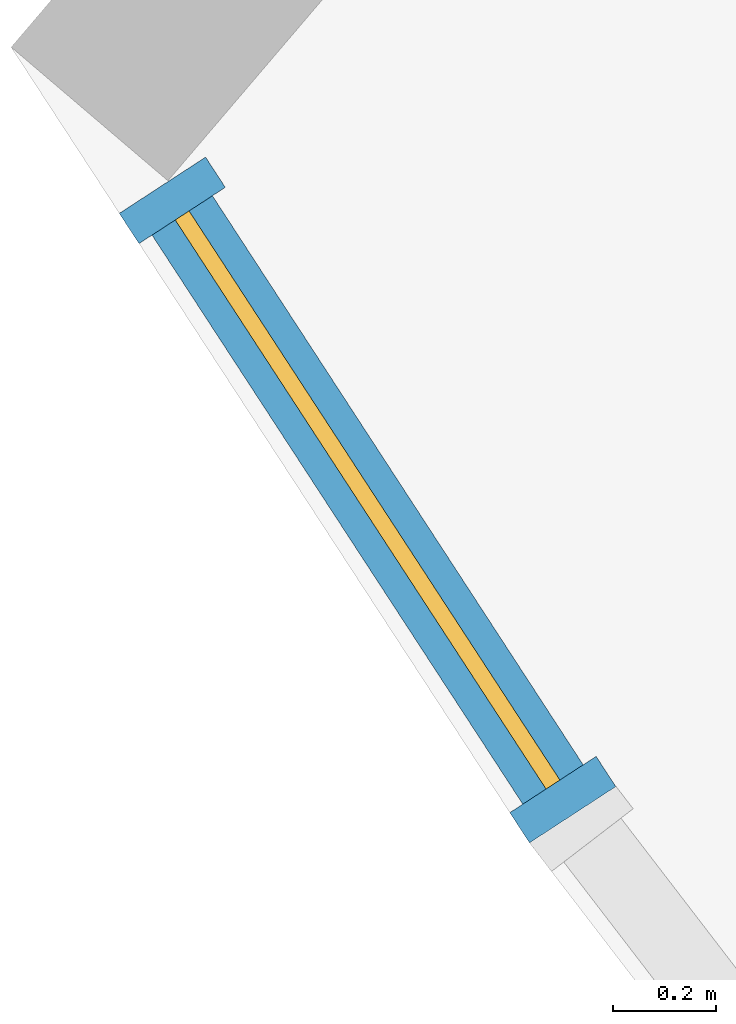
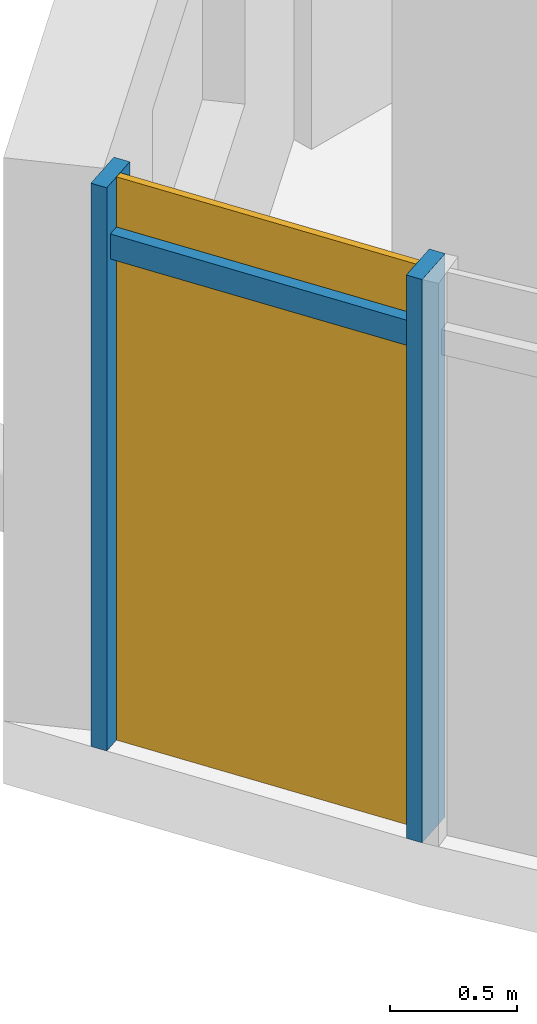
# One storey, part 20 of 29: 3 members, 1 curtain wall.
"""IFC4 building model written with IfcOpenShell, lengths in metres."""

import ifcopenshell
import ifcopenshell.guid

model = None  # the IFC model being written
_history = None  # IfcOwnerHistory: only IFC2X3 demands one
_inside = {}  # id of a spatial element -> (the spatial element, [elements in it])
_under = {}  # id of a project, library or spatial element -> (it, [spatial elements below it])
_declared = {}  # id of a project -> (the project, [libraries it declares])
_typed = {}  # id of a type object -> (the type object, [elements of that type])
_made_of = {}  # id of a material, layer set ... -> (it, [elements and type objects made of it])


def new_model(schema):
    """Start an empty IFC model of exactly this schema.

    Asked for "IFC4X3", IfcOpenShell would pick the latest addendum, in which some entities
    have other attributes; the version numbers below select the first issue.
    IFC2X3 requires an IfcOwnerHistory on every rooted entity: one is made here for all.
    """
    global model, _history
    if schema == "IFC4X3":
        model = ifcopenshell.file(schema_version=(4, 3, 0, 0))
    else:
        model = ifcopenshell.file(schema=schema)
    _inside.clear()
    _under.clear()
    _declared.clear()
    _typed.clear()
    _made_of.clear()
    _history = None
    if model.schema == "IFC2X3":
        org = make("IfcOrganization", Name="unknown")
        user = make(
            "IfcPersonAndOrganization",
            ThePerson=make("IfcPerson", FamilyName="unknown"),
            TheOrganization=org,
        )
        app = make(
            "IfcApplication",
            ApplicationDeveloper=org,
            Version="unknown",
            ApplicationFullName="unknown",
            ApplicationIdentifier="unknown",
        )
        _history = make(
            "IfcOwnerHistory",
            OwningUser=user,
            OwningApplication=app,
            ChangeAction="ADDED",
            CreationDate=0,
        )
    return model


def make(cls, **values):
    """One entity of the class cls with the attributes given. An attribute that is None is left unset."""
    return model.create_entity(
        cls, **{name: value for name, value in values.items() if value is not None}
    )


def rooted(cls, **values):
    """An entity with a GlobalId (a new one), such as an element, a storey or a relation."""
    return make(cls, GlobalId=ifcopenshell.guid.new(), OwnerHistory=_history, **values)


def si_unit(unit_type, name, prefix=None):
    """IfcSIUnit, for example si_unit("LENGTHUNIT", "METRE", prefix="MILLI")."""
    return make("IfcSIUnit", UnitType=unit_type, Prefix=prefix, Name=name)


def assignment(units):
    """IfcUnitAssignment: the units of a project."""
    return None if units is None else make("IfcUnitAssignment", Units=units)


def point(xyz):
    """IfcCartesianPoint."""
    return None if xyz is None else make("IfcCartesianPoint", Coordinates=xyz)


def direction(xyz):
    """IfcDirection."""
    return None if xyz is None else make("IfcDirection", DirectionRatios=xyz)


def frame(location, z_axis=None, x_axis=None):
    """IfcAxis2Placement3D, a coordinate frame: its origin and axes. An axis left out is left unset."""
    return make(
        "IfcAxis2Placement3D",
        Location=point(location),
        Axis=direction(z_axis),
        RefDirection=direction(x_axis),
    )


def frame_2d(location, x_axis=None):
    """IfcAxis2Placement2D, a coordinate frame in the plane: its origin and x axis."""
    return make(
        "IfcAxis2Placement2D", Location=point(location), RefDirection=direction(x_axis)
    )


def origin():
    """The frame at (0, 0, 0) with its axes left unset."""
    return frame((0.0, 0.0, 0.0))


def origin_2d():
    """The frame at (0, 0) in the plane with its x axis left unset."""
    return frame_2d((0.0, 0.0))


def place(relative_to, where):
    """IfcLocalPlacement: puts the frame where relative to a parent placement (None: the world)."""
    return make(
        "IfcLocalPlacement", PlacementRelTo=relative_to, RelativePlacement=where
    )


def context(
    kind, dimensions, precision=None, world=None, true_north=None, identifier=None
):
    """IfcGeometricRepresentationContext, for example the 3D "Model" context."""
    return make(
        "IfcGeometricRepresentationContext",
        ContextIdentifier=identifier,
        ContextType=kind,
        CoordinateSpaceDimension=dimensions,
        Precision=precision,
        WorldCoordinateSystem=world,
        TrueNorth=true_north,
    )


def subcontext(parent, identifier, kind, view, scale=None):
    """IfcGeometricRepresentationSubContext, for example "Body" below "Model"."""
    return make(
        "IfcGeometricRepresentationSubContext",
        ContextIdentifier=identifier,
        ContextType=kind,
        ParentContext=parent,
        TargetScale=scale,
        TargetView=view,
    )


def project(units=None, contexts=None):
    """IfcProject with its units and contexts."""
    return rooted(
        "IfcProject",
        Name="project",
        RepresentationContexts=contexts,
        UnitsInContext=assignment(units),
    )


def spatial(cls, under=None, at=None, **own):
    """A site, building, storey or space (cls), placed at a placement, below another one or the project."""
    s = rooted(cls, ObjectPlacement=at, **own)
    if under is not None:
        _under.setdefault(under.id(), (under, []))[1].append(s)
    return s


def profile(cls, at=None, kind="AREA", **sizes):
    """A parametric profile (cls). Its sizes go by their IFC names, for example OverallWidth=200.0."""
    return make(cls, ProfileType=kind, Position=at, **sizes)


def rectangle(**sizes):
    """IfcRectangleProfileDef."""
    return profile("IfcRectangleProfileDef", **sizes)


def extrude(swept, where, along, depth):
    """IfcExtrudedAreaSolid: the profile swept, set in the frame where, extruded along a direction by depth."""
    return make(
        "IfcExtrudedAreaSolid",
        SweptArea=swept,
        Position=where,
        ExtrudedDirection=direction(along),
        Depth=depth,
    )


def shape(context_of_items, identifier, shape_type, items):
    """IfcShapeRepresentation: the items that make up one representation, for example the "Body"."""
    return make(
        "IfcShapeRepresentation",
        ContextOfItems=context_of_items,
        RepresentationIdentifier=identifier,
        RepresentationType=shape_type,
        Items=items,
    )


def material(Name=None, Category=None):
    """IfcMaterial."""
    return make("IfcMaterial", Name=Name, Category=Category)


def material_profile(
    of_material, cross_section, Name=None, Category=None, Priority=None
):
    """IfcMaterialProfile: a cross section and its material."""
    return make(
        "IfcMaterialProfile",
        Name=Name,
        Material=of_material,
        Profile=cross_section,
        Priority=Priority,
        Category=Category,
    )


def profile_set(profiles, Name=None, composite=None):
    """IfcMaterialProfileSet."""
    return make(
        "IfcMaterialProfileSet",
        Name=Name,
        MaterialProfiles=profiles,
        CompositeProfile=composite,
    )


def made_of(thing, what):
    """Note that an element or type object is made of a material, layer set ...; save() writes the relation."""
    if what is not None:
        _made_of.setdefault(what.id(), (what, []))[1].append(thing)
    return thing


def type_object(cls, material=None, **own):
    """A type object (cls), such as IfcWallType, which elements share."""
    return made_of(rooted(cls, **own), material)


def element(
    cls,
    number,
    at=None,
    inside=None,
    cuts=None,
    type_object=None,
    material=None,
    context=None,
    identifier="Body",
    shape_type=None,
    held_by="IfcProductDefinitionShape",
    body=None,
    shapes=None,
    **own,
):
    """One element of the class cls, such as IfcWall. Its Tag is "e" and its number.

    at: its placement. inside: the storey or other place that contains it. cuts: it is an
    opening in that element (IfcRelVoidsElement). A single representation is given by context,
    identifier, shape_type and body (its items); several are given by shapes. held_by: the class
    of the entity that holds the representations. save() writes the other relations.
    """
    e = rooted(cls, Tag="e%d" % number, ObjectPlacement=at, **own)
    if body is not None:
        shapes = [shape(context, identifier, shape_type, body)]
    if shapes is not None:
        e.Representation = make(held_by, Representations=shapes)
    if inside is not None:
        _inside.setdefault(inside.id(), (inside, []))[1].append(e)
    if cuts is not None:
        rooted(
            "IfcRelVoidsElement", RelatingBuildingElement=cuts, RelatedOpeningElement=e
        )
    if type_object is not None:
        _typed.setdefault(type_object.id(), (type_object, []))[1].append(e)
    return made_of(e, material)


def aggregate(whole, parts):
    """IfcRelAggregates: a whole, such as a stair, and the parts it consists of."""
    return rooted("IfcRelAggregates", RelatingObject=whole, RelatedObjects=parts)


def save(model, path):
    """Write the relations noted so far, then the file.

    IfcRelAggregates (storeys below a building ...), IfcRelContainedInSpatialStructure (elements
    in a storey), IfcRelDefinesByType, IfcRelAssociatesMaterial and IfcRelDeclares: one each for
    every whole, place, type object, material and project.
    """
    for whole, parts in _under.values():
        aggregate(whole, parts)
    for where, things in _inside.values():
        rooted(
            "IfcRelContainedInSpatialStructure",
            RelatedElements=things,
            RelatingStructure=where,
        )
    for kind, things in _typed.values():
        rooted("IfcRelDefinesByType", RelatedObjects=things, RelatingType=kind)
    for what, things in _made_of.values():
        rooted("IfcRelAssociatesMaterial", RelatedObjects=things, RelatingMaterial=what)
    for by, libraries in _declared.values():
        rooted("IfcRelDeclares", RelatingContext=by, RelatedDefinitions=libraries)
    model.write(path)


model = new_model("IFC4")

# Units and contexts
model_context = context("Model", 3, precision=1e-05, world=origin(), true_north=direction((0.0, 1.0)))
body_context = subcontext(model_context, "Body", "Model", "MODEL_VIEW")
ifc_project = project(units=[si_unit("LENGTHUNIT", "METRE"), si_unit("AREAUNIT", "SQUARE_METRE"), si_unit("VOLUMEUNIT", "CUBIC_METRE"), si_unit("PLANEANGLEUNIT", "RADIAN"), si_unit("MASSUNIT", "GRAM", prefix="KILO")], contexts=[model_context])

# Member
ifc_material = material(Name="Aluminium 6063-T6 anodised", Category="aluminium")
ifc_material_profile_1 = material_profile(ifc_material, rectangle(XDim=0.199951171875, YDim=0.070068359375, at=origin_2d()))
ifc_profile_set_1 = profile_set([ifc_material_profile_1], Name="Aluminium 6063-T6 anodised")
member_type_1 = type_object("IfcMemberType", Name="Mullion 70 x 200 aluminium", PredefinedType="MULLION", material=ifc_profile_set_1)
site_placement = place(None, origin())
building_placement = place(site_placement, origin())
storey_placement = place(building_placement, frame((0.0, 0.0, 44.300048828125)))
member_1_placement = place(storey_placement, frame((-66.920166015625, -43.003662109375, 0.0), z_axis=(0.0, 0.0, 1.0), x_axis=(0.83784444888, 0.545909039567, 0.0)))
member_1 = element("IfcMember", 1, at=member_1_placement, type_object=member_type_1, Name="e-cw1-L07-out00/M00", PredefinedType="MULLION", context=body_context, shape_type="SweptSolid", body=[
    extrude(rectangle(XDim=0.199951171875, YDim=0.070068359375, at=origin_2d()), origin(), (0.0, 0.0, 1.0), 2.699951171875),
])

member_2_placement = place(storey_placement, frame((-66.161865234375, -44.167236328125, 0.0), z_axis=(0.0, 0.0, 1.0), x_axis=(0.83784444888, 0.545909039567, 0.0)))
member_2 = element("IfcMember", 2, at=member_2_placement, type_object=member_type_1, Name="e-cw1-L07-out00/M01", PredefinedType="MULLION", context=body_context, shape_type="SweptSolid", body=[
    extrude(rectangle(XDim=0.199951171875, YDim=0.070068359375, at=origin_2d()), origin(), (0.0, 0.0, 1.0), 2.699951171875),
])

ifc_material_profile_2 = material_profile(ifc_material, rectangle(XDim=0.139892578125, YDim=0.1201171875, at=origin_2d()))
ifc_profile_set_2 = profile_set([ifc_material_profile_2], Name="Aluminium 6063-T6 anodised")
member_type_2 = type_object("IfcMemberType", Name="Transom 120 x 140 aluminium", PredefinedType="USERDEFINED", material=ifc_profile_set_2)
member_3_placement = place(storey_placement, frame((-66.90087890625, -43.032958984375, 2.39990234375), z_axis=(0.54591198129, -0.837842532153, 0.0), x_axis=(0.837842532153, 0.54591198129, 0.0)))
member_3 = element("IfcMember", 3, at=member_3_placement, type_object=member_type_2, Name="e-cw1-L07-out00/T00", ObjectType="TRANSOM", PredefinedType="USERDEFINED", context=body_context, shape_type="SweptSolid", body=[
    extrude(rectangle(XDim=0.139892578125, YDim=0.1201171875, at=origin_2d()), origin(), (0.0, 0.0, 1.0), 1.31884765625),
])

# Site, building, storey
site = spatial("IfcSite", under=ifc_project, at=site_placement, CompositionType="ELEMENT")
building = spatial("IfcBuilding", under=site, at=building_placement, Name="Qamariyya Broadcast Tower", CompositionType="ELEMENT")
storey = spatial("IfcBuildingStorey", under=building, at=storey_placement, Name="L07", CompositionType="ELEMENT", Elevation=44.300048828125)

# Curtain wall
curtain_wall_type = type_object("IfcCurtainWallType", Name="Unitised curtain wall, anodised aluminium", PredefinedType="NOTDEFINED", material=ifc_material)
curtain_wall_placement = place(storey_placement, origin())
curtain_wall = element("IfcCurtainWall", 4, at=curtain_wall_placement, inside=storey, type_object=curtain_wall_type, Name="e-cw1-L07-out00", PredefinedType="NOTDEFINED", context=body_context, shape_type="SweptSolid", body=[
    extrude(rectangle(XDim=1.31884765625, YDim=0.031982421875, at=origin_2d()), frame((-66.541015625, -43.58544921875, 0.0), x_axis=(0.545941002059, -0.837823622412, 0.0)), (0.0, 0.0, 1.0), 2.340087890625),
    extrude(rectangle(XDim=1.31884765625, YDim=0.031982421875, at=origin_2d()), frame((-66.541015625, -43.58544921875, 2.4599609375), x_axis=(0.545941002059, -0.837823622412, 0.0)), (0.0, 0.0, 1.0), 0.239990234375),
])

aggregate(curtain_wall, [member_1, member_2, member_3])

save(model, "model.ifc")
